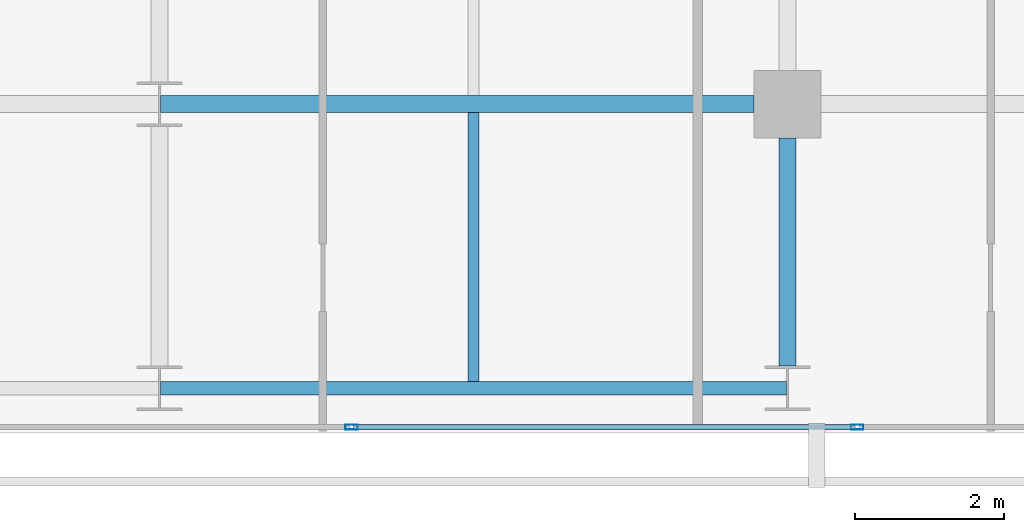
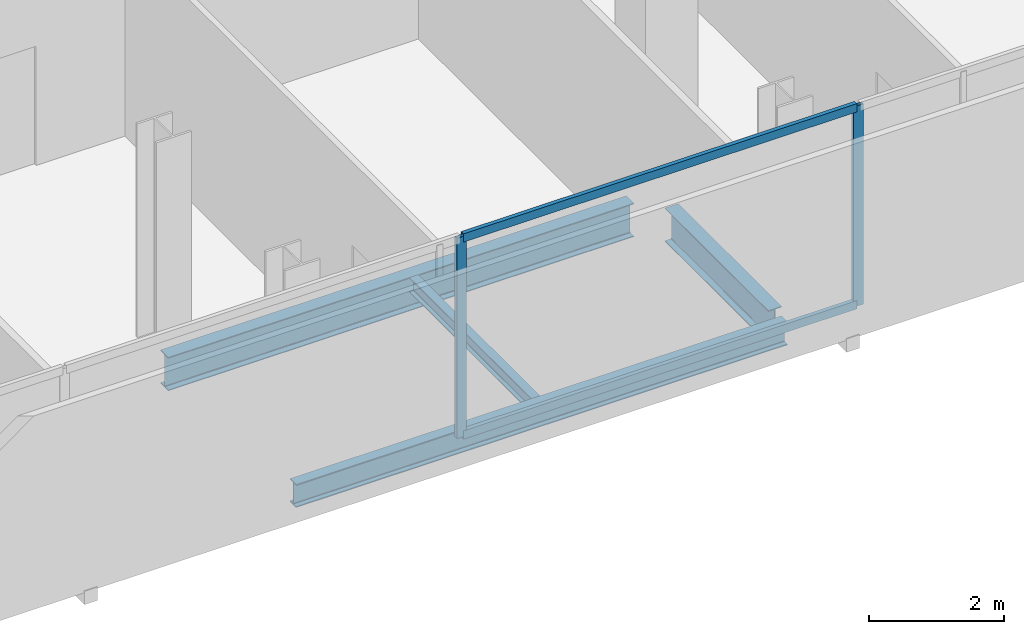
# One storey, part 12 of 34: 4 beams, 4 members, 1 element without a shape of its own.
"""IFC4 building model written with IfcOpenShell, lengths in metres."""

from ifc_helpers import new_model, si_unit, direction, frame, origin, origin_2d, place, context, subcontext, project, spatial, hollow_rectangle, i_section, extrude, material, layer, layer_set, material_profile, profile_set, type_object, element, aggregate, save


model = new_model("IFC4")

# Units and contexts
model_context = context("Model", 3, precision=1e-05, world=origin(), true_north=direction((0.0, 1.0)))
body_context = subcontext(model_context, "Body", "Model", "MODEL_VIEW")
ifc_project = project(units=[si_unit("LENGTHUNIT", "METRE"), si_unit("AREAUNIT", "SQUARE_METRE"), si_unit("VOLUMEUNIT", "CUBIC_METRE"), si_unit("PLANEANGLEUNIT", "RADIAN"), si_unit("MASSUNIT", "GRAM", prefix="KILO")], contexts=[model_context])

# Site, building, storey
site_placement = place(None, origin())
site = spatial("IfcSite", under=ifc_project, at=site_placement, CompositionType="ELEMENT")
building_placement = place(site_placement, origin())
building = spatial("IfcBuilding", under=site, at=building_placement, Name="Maruvema Waterfront Hotel and Observation Tower", CompositionType="ELEMENT")
storey_placement = place(building_placement, frame((0.0, 0.0, 192.85009765625)))
storey = spatial("IfcBuildingStorey", under=building, at=storey_placement, Name="L47", CompositionType="ELEMENT", Elevation=192.85009765625)

# Curtain wall, members
ifc_material_1 = material(Name="Anodised bronze aluminium and solar-control low-E IGU", Category="aluminium")
ifc_layer = layer(ifc_material_1, 0.159912109375, Name="Zone 2 Amber Inner Thermal Curtain Wall System CW-03")
ifc_layer_set = layer_set([ifc_layer], Name="Anodised bronze aluminium and solar-control low-E IGU")
curtain_wall_type = type_object("IfcCurtainWallType", Name="Zone 2 Amber Inner Thermal Curtain Wall System CW-03", PredefinedType="USERDEFINED", material=ifc_layer_set)
curtain_wall_placement = place(storey_placement, origin())
curtain_wall = element("IfcCurtainWall", 1, at=curtain_wall_placement, inside=storey, type_object=curtain_wall_type, Name="L47 Curtain Wall CW-L47-S", ObjectType="UNITISED CURTAIN WALL", PredefinedType="USERDEFINED")
ifc_material_2 = material(Name="Anodised architectural bronze aluminium", Category="aluminium")
ifc_material_profile_1 = material_profile(ifc_material_2, hollow_rectangle(XDim=0.070068359375, YDim=0.14990234375, WallThickness=0.00390625, at=origin_2d()), Name="ALU-T70x150")
ifc_profile_set_1 = profile_set([ifc_material_profile_1], Name="Anodised architectural bronze aluminium")
member_type_1 = type_object("IfcMemberType", Name="Curtain Wall Horizontal Transom ALU-T70x150", PredefinedType="USERDEFINED", material=ifc_profile_set_1)
member_1_placement = place(storey_placement, frame((44.5966796875, 4.679931640625, 0.02978515625), z_axis=(1.0, 0.0, 0.0), x_axis=(0.0, 1.0, 0.0)))
member_1 = element("IfcMember", 2, at=member_1_placement, type_object=member_type_1, Name="CW-03 transom 5.1", ObjectType="TRANSOM", PredefinedType="USERDEFINED", context=body_context, shape_type="SweptSolid", body=[
    extrude(hollow_rectangle(XDim=0.070068359375, YDim=0.14990234375, WallThickness=0.00390625, at=origin_2d()), origin(), (0.0, 0.0, 1.0), 6.70654296875),
])
member_2_placement = place(storey_placement, frame((44.5966796875, 4.679931640625, 3.579833984375), z_axis=(1.0, 0.0, 0.0), x_axis=(0.0, 1.0, 0.0)))
member_2 = element("IfcMember", 3, at=member_2_placement, type_object=member_type_1, Name="CW-03 transom 5.2", ObjectType="TRANSOM", PredefinedType="USERDEFINED", context=body_context, shape_type="SweptSolid", body=[
    extrude(hollow_rectangle(XDim=0.070068359375, YDim=0.14990234375, WallThickness=0.00390625, at=origin_2d()), origin(), (0.0, 0.0, 1.0), 6.70654296875),
])
ifc_material_3 = material(Name="Anodised architectural bronze aluminium", Category="aluminium")
ifc_material_profile_2 = material_profile(ifc_material_3, hollow_rectangle(XDim=0.06494140625, YDim=0.1650390625, WallThickness=0.00390625, at=origin_2d()), Name="ALU-M65x165")
ifc_profile_set_2 = profile_set([ifc_material_profile_2], Name="Anodised architectural bronze aluminium")
member_type_2 = type_object("IfcMemberType", Name="Curtain Wall Primary Mullion ALU-M65x165", PredefinedType="MULLION", material=ifc_profile_set_2)
member_3_placement = place(storey_placement, frame((44.566650390625, 4.679931640625, 0.0), z_axis=(0.0, 0.0, 1.0), x_axis=(0.0, 1.0, 0.0)))
member_3 = element("IfcMember", 4, at=member_3_placement, type_object=member_type_2, Name="CW-03 mullion 5", PredefinedType="MULLION", context=body_context, shape_type="SweptSolid", body=[
    extrude(hollow_rectangle(XDim=0.06494140625, YDim=0.1650390625, WallThickness=0.00390625, at=origin_2d()), origin(), (0.0, 0.0, 1.0), 3.60986328125),
])
member_4_placement = place(storey_placement, frame((51.333251953125, 4.679931640625, 0.0), z_axis=(0.0, 0.0, 1.0), x_axis=(0.0, 1.0, 0.0)))
member_4 = element("IfcMember", 5, at=member_4_placement, type_object=member_type_2, Name="CW-03 mullion 6", PredefinedType="MULLION", context=body_context, shape_type="SweptSolid", body=[
    extrude(hollow_rectangle(XDim=0.06494140625, YDim=0.1650390625, WallThickness=0.00390625, at=origin_2d()), origin(), (0.0, 0.0, 1.0), 3.60986328125),
])
aggregate(curtain_wall, [member_3, member_4, member_1, member_2])

# Beams
ifc_material_4 = material(Name="Steel ASTM A572 Grade 50", Category="steel")
ifc_material_profile_3 = material_profile(ifc_material_4, i_section(OverallWidth=0.180908203125, OverallDepth=0.4169921875, WebThickness=0.010986328125, FlangeThickness=0.018310546875, FilletRadius=0.014892578125, at=origin_2d()), Name="W410x85.0")
ifc_profile_set_3 = profile_set([ifc_material_profile_3], Name="Steel ASTM A572 Grade 50")
beam_type_1 = type_object("IfcBeamType", Name="Perimeter Spandrel Beam W410x85.0", PredefinedType="SPANDREL", material=ifc_profile_set_3)
beam_1_placement = place(storey_placement, frame((42.012451171875, 5.199951171875, -0.448486328125), z_axis=(1.0, 0.0, 0.0), x_axis=(0.0, 1.0, 0.0)))
element("IfcBeam", 6, at=beam_1_placement, inside=storey, type_object=beam_type_1, Name="L47 Floor Girder EW-03", PredefinedType="SPANDREL", context=body_context, shape_type="SweptSolid", body=[
    extrude(i_section(OverallWidth=0.180908203125, OverallDepth=0.4169921875, WebThickness=0.010986328125, FlangeThickness=0.018310546875, FilletRadius=0.014892578125, at=origin_2d()), origin(), (0.0, 0.0, 1.0), 8.375),
])
ifc_material_5 = material(Name="Steel ASTM A572 Grade 50", Category="steel")
ifc_material_profile_4 = material_profile(ifc_material_5, i_section(OverallWidth=0.22802734375, OverallDepth=0.60302734375, WebThickness=0.010498046875, FlangeThickness=0.014892578125, FilletRadius=0.01806640625, at=origin_2d()), Name="W610x101.0")
ifc_profile_set_4 = profile_set([ifc_material_profile_4], Name="Steel ASTM A572 Grade 50")
beam_type_2 = type_object("IfcBeamType", Name="Primary Floor Girder W610x101.0", PredefinedType="BEAM", material=ifc_profile_set_4)
beam_2_placement = place(storey_placement, frame((42.012451171875, 9.0, -0.54150390625), z_axis=(1.0, 0.0, 0.0), x_axis=(0.0, 1.0, 0.0)))
element("IfcBeam", 7, at=beam_2_placement, inside=storey, type_object=beam_type_2, Name="L47 Floor Girder EW-08", PredefinedType="BEAM", context=body_context, shape_type="SweptSolid", body=[
    extrude(i_section(OverallWidth=0.22802734375, OverallDepth=0.60302734375, WebThickness=0.010498046875, FlangeThickness=0.014892578125, FilletRadius=0.01806640625, at=origin_2d()), origin(), (0.0, 0.0, 1.0), 7.9375),
])
beam_3_placement = place(storey_placement, frame((50.39990234375, 5.5, -0.54150390625), z_axis=(0.0, 1.0, 0.0), x_axis=(-1.0, 0.0, 0.0)))
element("IfcBeam", 8, at=beam_3_placement, inside=storey, type_object=beam_type_2, Name="L47 Floor Girder NS-20", PredefinedType="BEAM", context=body_context, shape_type="SweptSolid", body=[
    extrude(i_section(OverallWidth=0.22802734375, OverallDepth=0.60302734375, WebThickness=0.010498046875, FlangeThickness=0.014892578125, FilletRadius=0.01806640625, at=origin_2d()), origin(), (0.0, 0.0, 1.0), 3.050048828125),
])
ifc_material_6 = material(Name="Steel ASTM A572 Grade 50", Category="steel")
ifc_material_profile_5 = material_profile(ifc_material_6, i_section(OverallWidth=0.14794921875, OverallDepth=0.26611328125, WebThickness=0.007568359375, FlangeThickness=0.012939453125, FilletRadius=0.012939453125, at=origin_2d()), Name="W250x44.8")
ifc_profile_set_5 = profile_set([ifc_material_profile_5], Name="Steel ASTM A572 Grade 50")
beam_type_3 = type_object("IfcBeamType", Name="Secondary Floor Joist W250x44.8", PredefinedType="JOIST", material=ifc_profile_set_5)
beam_4_placement = place(storey_placement, frame((46.199951171875, 5.29052734375, -0.373046875), z_axis=(0.0, 1.0, 0.0), x_axis=(-1.0, 0.0, 0.0)))
element("IfcBeam", 9, at=beam_4_placement, inside=storey, type_object=beam_type_3, Name="L47 Secondary Floor Joist JS-09", PredefinedType="JOIST", context=body_context, shape_type="SweptSolid", body=[
    extrude(i_section(OverallWidth=0.14794921875, OverallDepth=0.26611328125, WebThickness=0.007568359375, FlangeThickness=0.012939453125, FilletRadius=0.012939453125, at=origin_2d()), origin(), (0.0, 0.0, 1.0), 3.595458984375),
])

save(model, "model.ifc")
